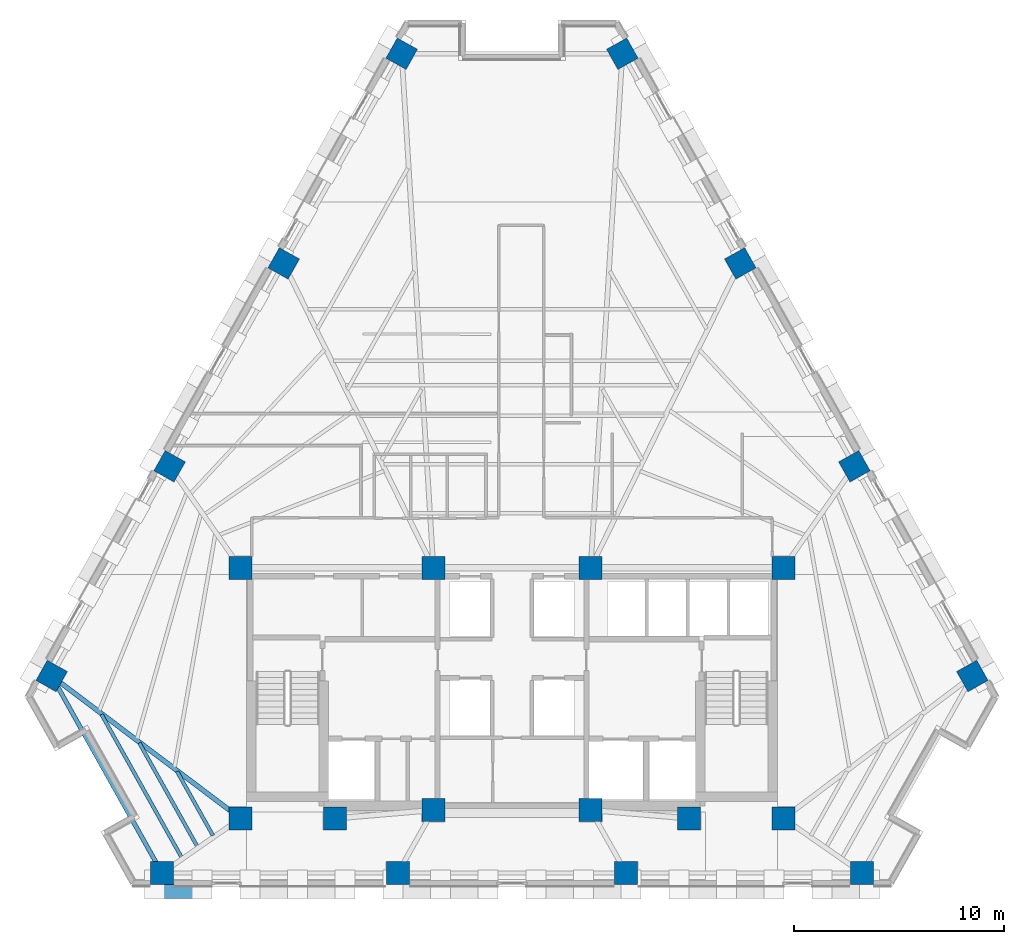
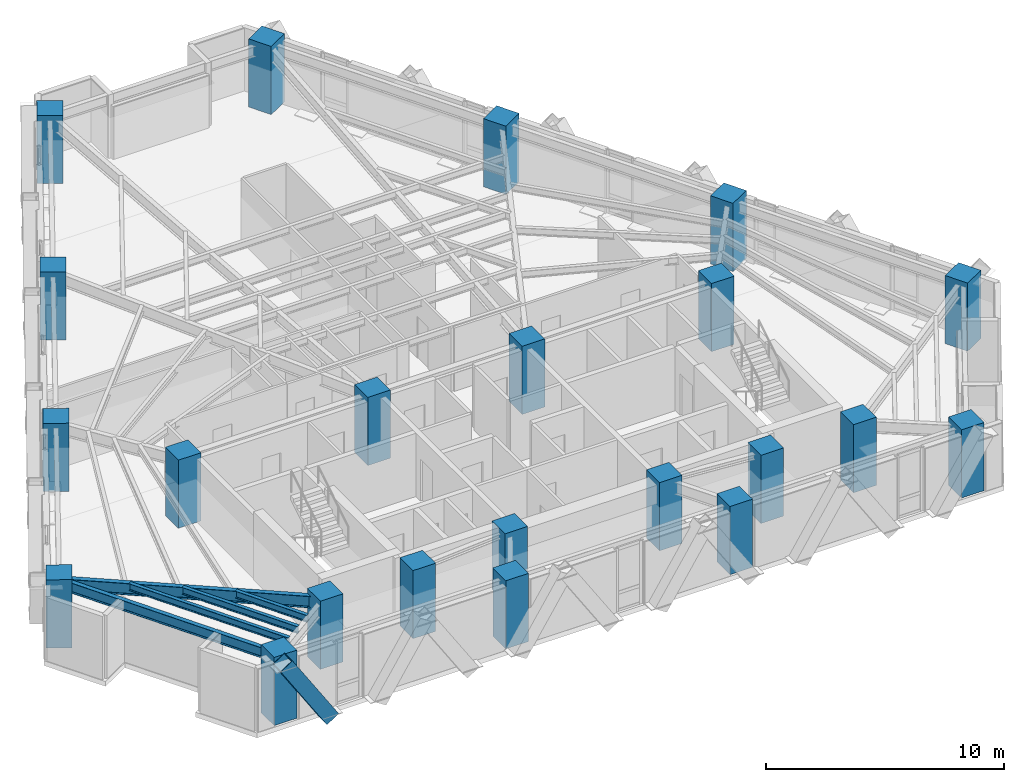
# One storey, part 1 of 13: 22 columns, 5 beams, 1 member.
"""IFC4 building model written with IfcOpenShell, lengths in metres."""

from ifc_helpers import new_model, si_unit, direction, frame, origin, origin_2d, place, context, subcontext, project, spatial, rectangle, hollow_rectangle, i_section, extrude, material, material_profile, profile_set, type_object, element, save


model = new_model("IFC4")

# Units and contexts
model_context = context("Model", 3, precision=1e-05, world=origin(), true_north=direction((0.0, 1.0)))
body_context = subcontext(model_context, "Body", "Model", "MODEL_VIEW")
ifc_project = project(units=[si_unit("LENGTHUNIT", "METRE"), si_unit("AREAUNIT", "SQUARE_METRE"), si_unit("VOLUMEUNIT", "CUBIC_METRE"), si_unit("PLANEANGLEUNIT", "RADIAN"), si_unit("MASSUNIT", "GRAM", prefix="KILO")], contexts=[model_context])

# Site, building, storey
site_placement = place(None, origin())
site = spatial("IfcSite", under=ifc_project, at=site_placement, CompositionType="ELEMENT")
building_placement = place(site_placement, origin())
building = spatial("IfcBuilding", under=site, at=building_placement, Name="Quenlor Broadcast Tower", CompositionType="ELEMENT")
storey_placement = place(building_placement, frame((0.0, 0.0, 105.5)))
storey = spatial("IfcBuildingStorey", under=building, at=storey_placement, Name="L28", CompositionType="ELEMENT", Elevation=105.5)

# Columns
ifc_material_1 = material(Name="Concrete C65/80", Category="concrete")
ifc_material_profile_1 = material_profile(ifc_material_1, rectangle(XDim=1.10009765625, YDim=1.10009765625, at=origin_2d()))
ifc_profile_set_1 = profile_set([ifc_material_profile_1], Name="Concrete C65/80 RC1100x1100")
column_type_1 = type_object("IfcColumnType", Name="Core Corner Column Mid Concrete C65/80 1100", PredefinedType="COLUMN", material=ifc_profile_set_1)
for number, where, z_axis, x_axis, name in (
    (1, (-12.949951171875, -16.75, 0.0), (0.0, 0.0, 1.0), (1.0, 0.0, 0.0), "L28 Core Column CC1"),
    (2, (-8.449951171875, -16.75, 0.0), (0.0, 0.0, 1.0), (1.0, 0.0, 0.0), "L28 Core Column CC2"),
    (3, (-3.75, -16.35009765625, 0.0), (0.0, 0.0, 1.0), (1.0, 0.0, 0.0), "L28 Core Column CC3"),
    (4, (3.75, -16.35009765625, 0.0), (0.0, 0.0, 1.0), (1.0, 0.0, 0.0), "L28 Core Column CC4"),
    (5, (8.449951171875, -16.75, 0.0), (0.0, 0.0, 1.0), (1.0, 0.0, 0.0), "L28 Core Column CC5"),
    (6, (12.949951171875, -16.75, 0.0), (0.0, 0.0, 1.0), (1.0, 0.0, 0.0), "L28 Core Column CC6"),
    (7, (-12.949951171875, -4.800048828125, 0.0), (0.0, 0.0, 1.0), (1.0, 0.0, 0.0), "L28 Core Column CC7"),
    (8, (-3.75, -4.800048828125, 0.0), (0.0, 0.0, 1.0), (1.0, 0.0, 0.0), "L28 Core Column CC8"),
    (9, (3.75, -4.800048828125, 0.0), (0.0, 0.0, 1.0), (1.0, 0.0, 0.0), "L28 Core Column CC9"),
    (10, (12.949951171875, -4.800048828125, 0.0), (0.0, 0.0, 1.0), (1.0, 0.0, 0.0), "L28 Core Column CC10"),
):
    element("IfcColumn", number, at=place(storey_placement, frame(where, z_axis=z_axis, x_axis=x_axis)), inside=storey, type_object=column_type_1, Name=name, PredefinedType="COLUMN", context=body_context, shape_type="SweptSolid", body=[
        extrude(rectangle(XDim=1.10009765625, YDim=1.10009765625, at=origin_2d()), origin(), (0.0, 0.0, 1.0), 3.5),
    ])
ifc_material_2 = material(Name="Concrete C65/80", Category="concrete")
ifc_material_profile_2 = material_profile(ifc_material_2, rectangle(XDim=1.10009765625, YDim=1.10009765625, at=origin_2d()))
ifc_profile_set_2 = profile_set([ifc_material_profile_2], Name="Concrete C65/80 RC1100x1100")
column_type_2 = type_object("IfcColumnType", Name="Tower Perimeter Column Z2 Concrete C65/80 1100", PredefinedType="COLUMN", material=ifc_profile_set_2)
for number, where, z_axis, x_axis, name in (
    (11, (-16.6923828125, -19.35009765625, 0.0), (0.0, 0.0, 1.0), (0.0, 1.0, 0.0), "L28 Perimeter Column S1"),
    (12, (-5.443115234375, -19.35009765625, 0.0), (0.0, 0.0, 1.0), (0.0, 1.0, 0.0), "L28 Perimeter Column S2"),
    (13, (5.443115234375, -19.35009765625, 0.0), (0.0, 0.0, 1.0), (0.0, 1.0, 0.0), "L28 Perimeter Column S3"),
    (14, (16.6923828125, -19.35009765625, 0.0), (0.0, 0.0, 1.0), (0.0, 1.0, 0.0), "L28 Perimeter Column S4"),
    (15, (21.95458984375, -9.95654296875, 0.0), (0.0, 0.0, 1.0), (0.871575139605, 0.490261946333, 0.0), "L28 Perimeter Column NE1"),
    (16, (16.330078125, 0.04296875, 0.0), (0.0, 0.0, 1.0), (0.871575139605, 0.490261946333, 0.0), "L28 Perimeter Column NE2"),
    (17, (10.886962890625, 9.7197265625, 0.0), (0.0, 0.0, 1.0), (0.871575139605, 0.490261946333, 0.0), "L28 Perimeter Column NE3"),
    (18, (5.26220703125, 19.718994140625, 0.0), (0.0, 0.0, 1.0), (0.871575139605, 0.490261946333, 0.0), "L28 Perimeter Column NE4"),
    (19, (-5.26220703125, 19.718994140625, 0.0), (0.0, 0.0, 1.0), (-0.871575139605, 0.490261946333, 0.0), "L28 Perimeter Column NW1"),
    (20, (-10.886962890625, 9.7197265625, 0.0), (0.0, 0.0, 1.0), (-0.871575139605, 0.490261946333, 0.0), "L28 Perimeter Column NW2"),
    (21, (-16.330078125, 0.04296875, 0.0), (0.0, 0.0, 1.0), (-0.871575139605, 0.490261946333, 0.0), "L28 Perimeter Column NW3"),
    (22, (-21.95458984375, -9.95654296875, 0.0), (0.0, 0.0, 1.0), (-0.871575139605, 0.490261946333, 0.0), "L28 Perimeter Column NW4"),
):
    element("IfcColumn", number, at=place(storey_placement, frame(where, z_axis=z_axis, x_axis=x_axis)), inside=storey, type_object=column_type_2, Name=name, PredefinedType="COLUMN", context=body_context, shape_type="SweptSolid", body=[
        extrude(rectangle(XDim=1.10009765625, YDim=1.10009765625, at=origin_2d()), origin(), (0.0, 0.0, 1.0), 3.5),
    ])

# Member
ifc_material_3 = material(Name="Steel S355", Category="steel")
ifc_material_profile_3 = material_profile(ifc_material_3, hollow_rectangle(XDim=0.679931640625, YDim=0.679931640625, WallThickness=0.030029296875, at=origin_2d()))
ifc_profile_set_3 = profile_set([ifc_material_profile_3], Name="Steel S355 RHS680x680x30")
member_type = type_object("IfcMemberType", Name="Perimeter Diagonal Lattice Brace Z2 Steel S355 RHS680x30", PredefinedType="BRACE", material=ifc_profile_set_3)
member_placement = place(storey_placement, frame((-14.78515625, -20.235107421875, -0.1201171875), z_axis=(-0.539968035679, 0.0, 0.841685523485), x_axis=(0.0, -1.0, 0.0)))
element("IfcMember", 23, at=member_placement, inside=storey, type_object=member_type, Name="L28 Perimeter Diamond Lattice S-C5S", PredefinedType="BRACE", context=body_context, shape_type="SweptSolid", body=[
    extrude(hollow_rectangle(XDim=0.679931640625, YDim=0.679931640625, WallThickness=0.030029296875, at=origin_2d()), origin(), (0.0, 0.0, 1.0), 4.158203125),
])

# Beams
ifc_material_4 = material(Name="Steel S355", Category="steel")
ifc_material_profile_4 = material_profile(ifc_material_4, i_section(OverallWidth=0.208984375, OverallDepth=0.5283203125, WebThickness=0.009521484375, FlangeThickness=0.01318359375, FilletRadius=0.013916015625, at=origin_2d()))
ifc_profile_set_4 = profile_set([ifc_material_profile_4], Name="Steel S355 530UB82.0")
beam_type_1 = type_object("IfcBeamType", Name="Perimeter Spandrel Beam Z2 Steel S355 530UB82.0", PredefinedType="SPANDREL", material=ifc_profile_set_4)
beam_1_placement = place(storey_placement, frame((-21.75439453125, -10.314208984375, 2.98583984375), z_axis=(0.488749102779, -0.872424389006, 0.0), x_axis=(0.872424389006, 0.488749102779, 0.0)))
element("IfcBeam", 24, at=beam_1_placement, inside=storey, type_object=beam_type_1, Name="L28 Spandrel Beam NW4-S1", PredefinedType="SPANDREL", context=body_context, shape_type="SweptSolid", body=[
    extrude(i_section(OverallWidth=0.208984375, OverallDepth=0.5283203125, WebThickness=0.009521484375, FlangeThickness=0.01318359375, FilletRadius=0.013916015625, at=origin_2d()), origin(), (0.0, 0.0, 1.0), 9.947021484375),
])
ifc_material_5 = material(Name="Steel S355", Category="steel")
ifc_material_profile_5 = material_profile(ifc_material_5, i_section(OverallWidth=0.172119140625, OverallDepth=0.358642578125, WebThickness=0.008056640625, FlangeThickness=0.012939453125, FilletRadius=0.011474609375, at=origin_2d()))
ifc_profile_set_5 = profile_set([ifc_material_profile_5], Name="Steel S355 360UB56.7")
beam_type_2 = type_object("IfcBeamType", Name="Tower Composite Joist Z2-Z3 Steel S355 360UB56.7", PredefinedType="JOIST", material=ifc_profile_set_5)
beam_2_placement = place(storey_placement, frame((-14.261474609375, -17.564208984375, 3.07080078125), z_axis=(-0.488730779643, 0.87243465373, 0.0), x_axis=(-0.87243465373, -0.488730779643, 0.0)))
element("IfcBeam", 25, at=beam_2_placement, inside=storey, type_object=beam_type_2, Name="L28 Secondary Composite Joist 19", PredefinedType="JOIST", context=body_context, shape_type="SweptSolid", body=[
    extrude(i_section(OverallWidth=0.172119140625, OverallDepth=0.358642578125, WebThickness=0.008056640625, FlangeThickness=0.012939453125, FilletRadius=0.011474609375, at=origin_2d()), origin(), (0.0, 0.0, 1.0), 3.500732421875),
])
beam_3_placement = place(storey_placement, frame((-15.010009765625, -18.084228515625, 3.07080078125), z_axis=(-0.488741419435, 0.87242869332, 0.0), x_axis=(-0.87242869332, -0.488741419435, 0.0)))
element("IfcBeam", 26, at=beam_3_placement, inside=storey, type_object=beam_type_2, Name="L28 Secondary Composite Joist 20", PredefinedType="JOIST", context=body_context, shape_type="SweptSolid", body=[
    extrude(i_section(OverallWidth=0.172119140625, OverallDepth=0.358642578125, WebThickness=0.008056640625, FlangeThickness=0.012939453125, FilletRadius=0.011474609375, at=origin_2d()), origin(), (0.0, 0.0, 1.0), 5.654052734375),
])
beam_4_placement = place(storey_placement, frame((-15.758544921875, -18.604248046875, 3.07080078125), z_axis=(-0.488732857155, 0.872433489922, 0.0), x_axis=(-0.872433489922, -0.488732857155, 0.0)))
element("IfcBeam", 27, at=beam_4_placement, inside=storey, type_object=beam_type_2, Name="L28 Secondary Composite Joist 21", PredefinedType="JOIST", context=body_context, shape_type="SweptSolid", body=[
    extrude(i_section(OverallWidth=0.172119140625, OverallDepth=0.358642578125, WebThickness=0.008056640625, FlangeThickness=0.012939453125, FilletRadius=0.011474609375, at=origin_2d()), origin(), (0.0, 0.0, 1.0), 7.807861328125),
])
ifc_material_6 = material(Name="Steel S355", Category="steel")
ifc_material_profile_6 = material_profile(ifc_material_6, i_section(OverallWidth=0.22802734375, OverallDepth=0.60205078125, WebThickness=0.010498046875, FlangeThickness=0.014892578125, FilletRadius=0.013916015625, at=origin_2d()))
ifc_profile_set_6 = profile_set([ifc_material_profile_6], Name="Steel S355 610UB101")
beam_type_3 = type_object("IfcBeamType", Name="Tower Primary Floor Beam Z2 Steel S355 610UB101", PredefinedType="BEAM", material=ifc_profile_set_6)
beam_5_placement = place(storey_placement, frame((-21.62744140625, -10.203369140625, 2.948974609375), z_axis=(0.798298724007, -0.602261693327, 0.0), x_axis=(0.602261693327, 0.798298724007, 0.0)))
element("IfcBeam", 28, at=beam_5_placement, inside=storey, type_object=beam_type_3, Name="L28 Primary Radial Beam NW4", PredefinedType="BEAM", context=body_context, shape_type="SweptSolid", body=[
    extrude(i_section(OverallWidth=0.22802734375, OverallDepth=0.60205078125, WebThickness=0.010498046875, FlangeThickness=0.014892578125, FilletRadius=0.013916015625, at=origin_2d()), origin(), (0.0, 0.0, 1.0), 10.48974609375),
])

save(model, "model.ifc")
